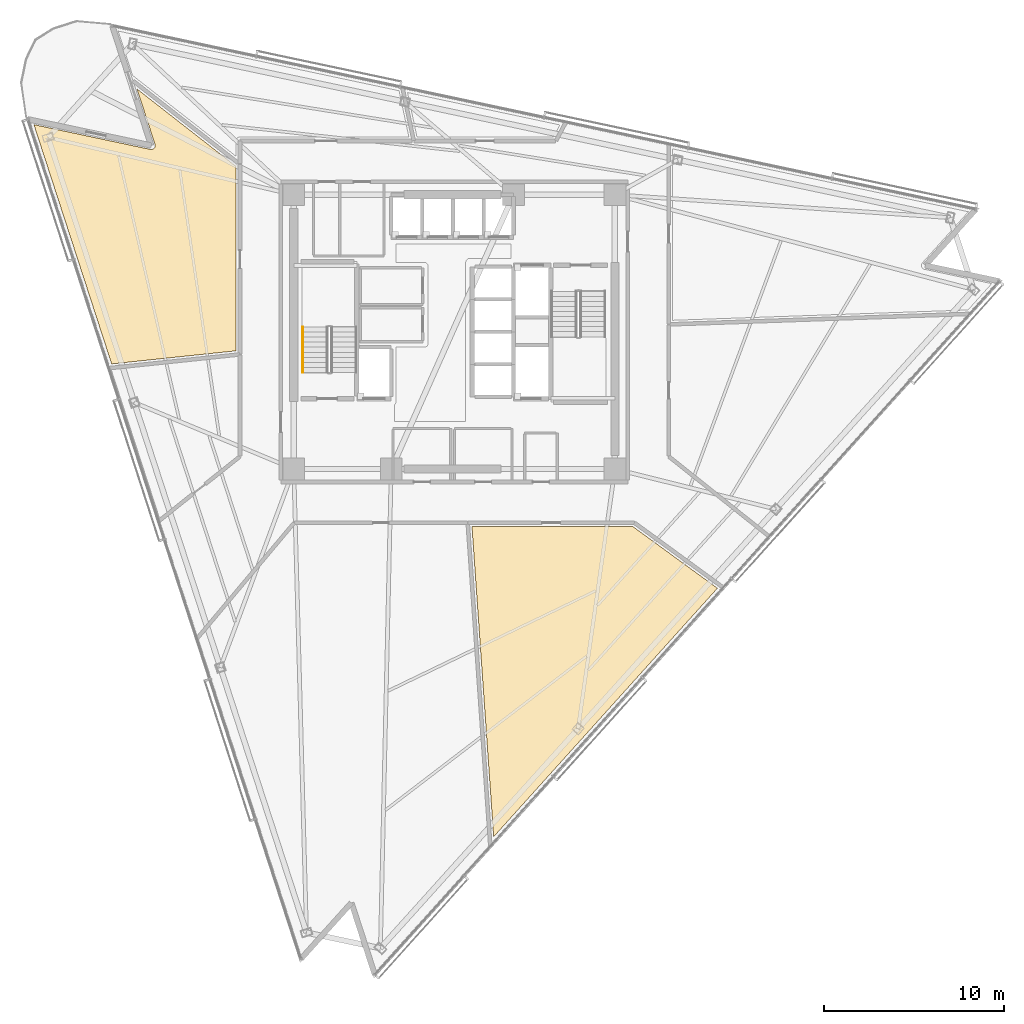
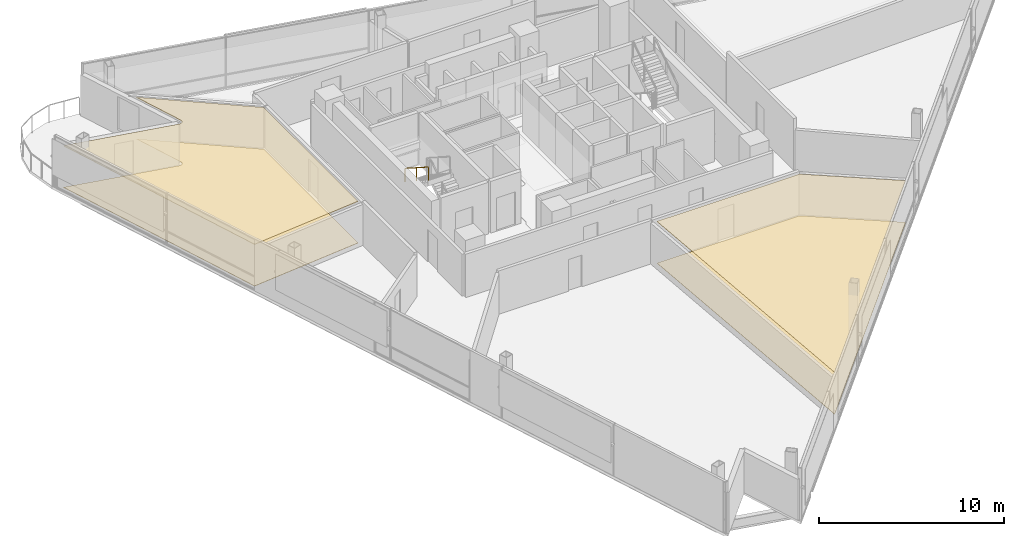
# One storey, part 15 of 17: 4 coverings, 1 railing.
"""IFC4 building model written with IfcOpenShell, lengths in metres."""

from ifc_helpers import new_model, si_unit, direction, frame, origin, origin_2d, place, context, subcontext, project, spatial, polyline, rectangle, outline, extrude, material, layer, layer_set, type_object, element, save


model = new_model("IFC4")

# Units and contexts
model_context = context("Model", 3, precision=1e-05, world=origin(), true_north=direction((0.0, 1.0)))
body_context = subcontext(model_context, "Body", "Model", "MODEL_VIEW")
ifc_project = project(units=[si_unit("LENGTHUNIT", "METRE"), si_unit("AREAUNIT", "SQUARE_METRE"), si_unit("VOLUMEUNIT", "CUBIC_METRE"), si_unit("PLANEANGLEUNIT", "RADIAN"), si_unit("MASSUNIT", "GRAM", prefix="KILO")], contexts=[model_context])

# Site, building, storey
site_placement = place(None, origin())
site = spatial("IfcSite", under=ifc_project, at=site_placement, CompositionType="ELEMENT")
building_placement = place(site_placement, origin())
building = spatial("IfcBuilding", under=site, at=building_placement, Name="Tharavind Bronze Gate", CompositionType="ELEMENT")
storey_placement = place(building_placement, frame((0.0, 0.0, 204.050048828125)))
storey = spatial("IfcBuildingStorey", under=building, at=storey_placement, Name="L52", CompositionType="ELEMENT", Elevation=204.050048828125)

# Coverings
ifc_material_1 = material(Name="Engineered Oak & Carpet Tile", Category="wood")
ifc_layer_1 = layer(ifc_material_1, 0.02490234375)
ifc_layer_set_1 = layer_set([ifc_layer_1], Name="Engineered Oak & Carpet Tile")
covering_type_1 = type_object("IfcCoveringType", Name="ENGINEERED TIMBER FLOORING", PredefinedType="FLOORING", material=ifc_layer_set_1)
covering_1_placement = place(storey_placement, origin())
element("IfcCovering", 1, at=covering_1_placement, inside=storey, type_object=covering_type_1, Name="L52-RM-04 floor finish", PredefinedType="FLOORING", context=body_context, shape_type="SweptSolid", body=[
    extrude(outline(polyline([(-18.994384765625, -1.775146484375), (-12.10009765625, -1.050537109375), (-12.10009765625, 9.17431640625), (-17.58984375, 13.46337890625), (-16.59375, 10.39794921875), (-16.590576171875, 10.387451171875), (-16.59033203125, 10.38671875), (-16.585693359375, 10.365478515625), (-16.583251953125, 10.343505859375), (-16.5830078125, 10.32177734375), (-16.584716796875, 10.2998046875), (-16.5888671875, 10.2783203125), (-16.594970703125, 10.257080078125), (-16.60302734375, 10.23681640625), (-16.61328125, 10.21728515625), (-16.62548828125, 10.19921875), (-16.63916015625, 10.18212890625), (-16.65478515625, 10.16650390625), (-16.671630859375, 10.152587890625), (-16.68994140625, 10.140380859375), (-16.709228515625, 10.130126953125), (-16.7294921875, 10.121826171875), (-16.75048828125, 10.115478515625), (-16.772216796875, 10.111572265625), (-16.7939453125, 10.109619140625), (-16.81591796875, 10.109619140625), (-16.837646484375, 10.112060546875), (-16.83837890625, 10.1123046875), (-16.84912109375, 10.1142578125), (-23.30322265625, 11.486083984375), (-18.994384765625, -1.775146484375)])), origin(), (0.0, 0.0, 1.0), 0.02490234375),
])
covering_2_placement = place(storey_placement, origin())
element("IfcCovering", 2, at=covering_2_placement, inside=storey, type_object=covering_type_1, Name="L52-RM-07 floor finish", PredefinedType="FLOORING", context=body_context, shape_type="SweptSolid", body=[
    extrude(outline(polyline([(2.17724609375, -27.982421875), (14.578857421875, -14.208984375), (9.906494140625, -10.800048828125), (0.9755859375, -10.800048828125), (2.17724609375, -27.982421875)])), origin(), (0.0, 0.0, 1.0), 0.02490234375),
])
ifc_material_2 = material(Name="Acoustic Gypsum Board", Category="gypsum")
ifc_layer_2 = layer(ifc_material_2, 0.030029296875)
ifc_layer_set_2 = layer_set([ifc_layer_2], Name="Acoustic Gypsum Board")
covering_type_2 = type_object("IfcCoveringType", Name="GYPSUM SUSPENDED CEILING", PredefinedType="CEILING", material=ifc_layer_set_2)
covering_3_placement = place(storey_placement, frame((0.0, 0.0, 2.75)))
element("IfcCovering", 3, at=covering_3_placement, inside=storey, type_object=covering_type_2, Name="L52-RM-04 suspended ceiling", PredefinedType="CEILING", context=body_context, shape_type="SweptSolid", body=[
    extrude(outline(polyline([(-18.994384765625, -1.775146484375), (-12.10009765625, -1.050537109375), (-12.10009765625, 9.17431640625), (-17.58984375, 13.46337890625), (-16.59375, 10.39794921875), (-16.590576171875, 10.387451171875), (-16.59033203125, 10.38671875), (-16.585693359375, 10.365478515625), (-16.583251953125, 10.343505859375), (-16.5830078125, 10.32177734375), (-16.584716796875, 10.2998046875), (-16.5888671875, 10.2783203125), (-16.594970703125, 10.257080078125), (-16.60302734375, 10.23681640625), (-16.61328125, 10.21728515625), (-16.62548828125, 10.19921875), (-16.63916015625, 10.18212890625), (-16.65478515625, 10.16650390625), (-16.671630859375, 10.152587890625), (-16.68994140625, 10.140380859375), (-16.709228515625, 10.130126953125), (-16.7294921875, 10.121826171875), (-16.75048828125, 10.115478515625), (-16.772216796875, 10.111572265625), (-16.7939453125, 10.109619140625), (-16.81591796875, 10.109619140625), (-16.837646484375, 10.112060546875), (-16.83837890625, 10.1123046875), (-16.84912109375, 10.1142578125), (-23.30322265625, 11.486083984375), (-18.994384765625, -1.775146484375)])), origin(), (0.0, 0.0, 1.0), 0.034912109375),
])
covering_4_placement = place(storey_placement, frame((0.0, 0.0, 2.75)))
element("IfcCovering", 4, at=covering_4_placement, inside=storey, type_object=covering_type_2, Name="L52-RM-07 suspended ceiling", PredefinedType="CEILING", context=body_context, shape_type="SweptSolid", body=[
    extrude(outline(polyline([(2.17724609375, -27.982421875), (14.578857421875, -14.208984375), (9.906494140625, -10.800048828125), (0.9755859375, -10.800048828125), (2.17724609375, -27.982421875)])), origin(), (0.0, 0.0, 1.0), 0.034912109375),
])

# Railing
ifc_material_3 = material(Name="Brushed Bronze Alloy", Category="metal")
railing_type = type_object("IfcRailingType", Name="STAIR BRONZE HANDRAIL 900", PredefinedType="HANDRAIL", material=ifc_material_3)
railing_placement = place(storey_placement, frame((-8.39990234375, 0.27001953125, 1.97998046875)))
element("IfcRailing", 5, at=railing_placement, inside=storey, type_object=railing_type, Name="L52 ST1 stair handrail 2", PredefinedType="HANDRAIL", context=body_context, shape_type="SweptSolid", body=[
    extrude(rectangle(XDim=0.048095703125, YDim=0.048095703125, at=origin_2d()), frame((0.0, -0.02685546875, 0.89306640625), z_axis=(0.0, -0.841199657755, 0.540724639528), x_axis=(1.0, 0.0, 0.0)), (0.0, 0.0, 1.0), 2.931640625),
    extrude(rectangle(XDim=0.0400390625, YDim=0.0400390625, at=origin_2d()), origin(), (0.0, 0.0, 1.0), 0.847900390625),
    extrude(rectangle(XDim=0.0400390625, YDim=0.0400390625, at=origin_2d()), frame((0.0, -1.260009765625, 0.81005859375)), (0.0, 0.0, 1.0), 0.847900390625),
    extrude(rectangle(XDim=0.0400390625, YDim=0.0400390625, at=origin_2d()), frame((0.0, -2.52001953125, 1.619873046875)), (0.0, 0.0, 1.0), 0.847900390625),
])

save(model, "model.ifc")
